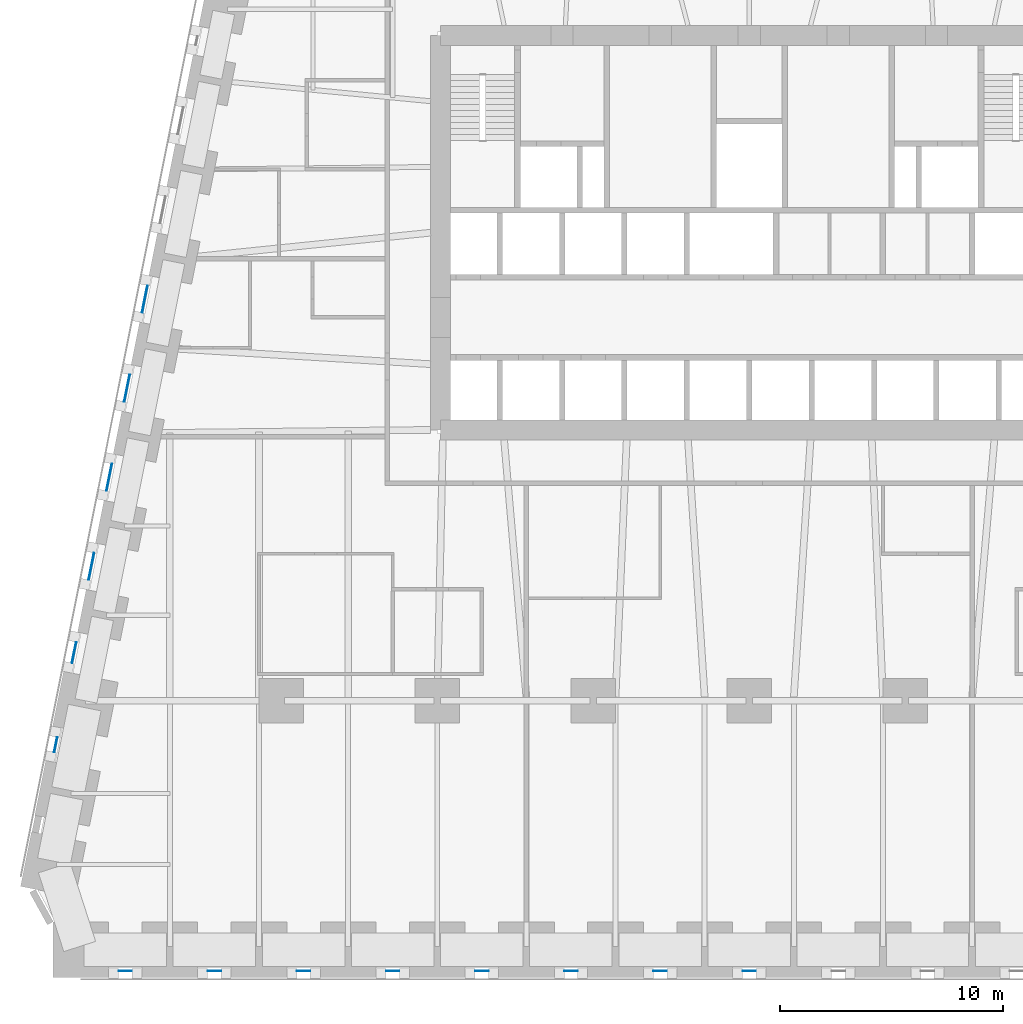
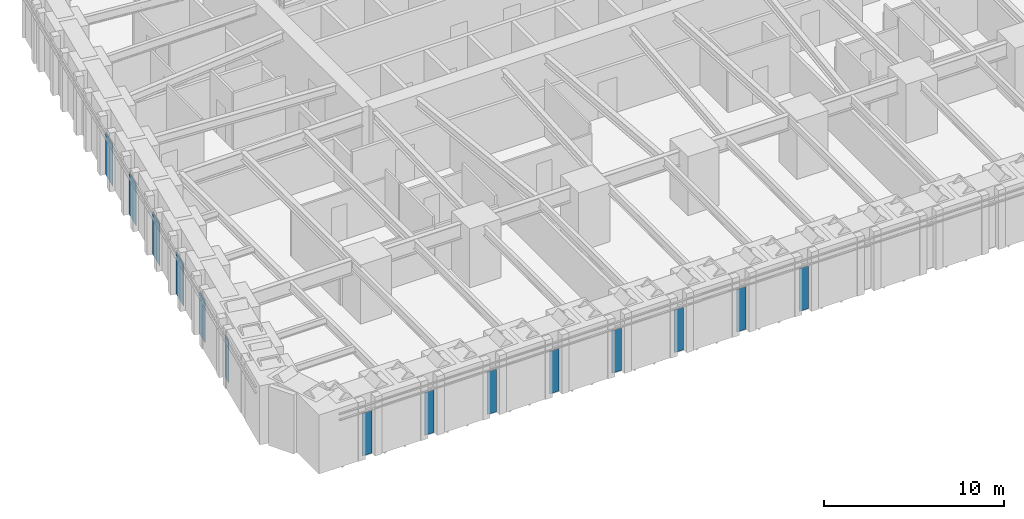
# One storey, part 7 of 16: 14 plates, 14 elements without a shape of their own.
"""IFC4 building model written with IfcOpenShell, lengths in metres."""

from ifc_helpers import new_model, si_unit, direction, frame, origin, origin_2d, place, context, subcontext, project, spatial, rectangle, extrude, material, layer, layer_set, type_object, element, aggregate, save


model = new_model("IFC4")

# Units and contexts
model_context = context("Model", 3, precision=1e-05, world=origin(), true_north=direction((0.0, 1.0)))
body_context = subcontext(model_context, "Body", "Model", "MODEL_VIEW")
ifc_project = project(units=[si_unit("LENGTHUNIT", "METRE"), si_unit("AREAUNIT", "SQUARE_METRE"), si_unit("VOLUMEUNIT", "CUBIC_METRE"), si_unit("PLANEANGLEUNIT", "RADIAN"), si_unit("MASSUNIT", "GRAM", prefix="KILO")], contexts=[model_context])

# Site, building, storey
site_placement = place(None, origin())
site = spatial("IfcSite", under=ifc_project, at=site_placement, CompositionType="ELEMENT")
building_placement = place(site_placement, origin())
building = spatial("IfcBuilding", under=site, at=building_placement, Name="Isbrekke Arena Tower", CompositionType="ELEMENT")
storey_placement = place(building_placement, frame((0.0, 0.0, 36.0)))
storey = spatial("IfcBuildingStorey", under=building, at=storey_placement, Name="L06", CompositionType="ELEMENT", Elevation=36.0)

# Curtain wall, plate
ifc_material_1 = material(Name="Glazed aluminium curtain wall", Category="aluminium")
curtain_wall_type = type_object("IfcCurtainWallType", Name="CWL TOWER CURTAIN WALL LOW ZONE", PredefinedType="USERDEFINED", material=ifc_material_1)
curtain_wall_1_placement = place(storey_placement, origin())
curtain_wall_1 = element("IfcCurtainWall", 1, at=curtain_wall_1_placement, inside=storey, type_object=curtain_wall_type, Name="CWL curtain wall L06-S", ObjectType="TOWER CURTAIN WALL LOW ZONE", PredefinedType="USERDEFINED")
ifc_material_2 = material(Name="Triple-glazed clear glass unit", Category="glass")
ifc_layer = layer(ifc_material_2, 0.031982421875)
ifc_layer_set = layer_set([ifc_layer], Name="CWL-P VISION PANEL")
plate_type = type_object("IfcPlateType", Name="CWL-P VISION PANEL", PredefinedType="CURTAIN_PANEL", material=ifc_layer_set)
plate_1_placement = place(storey_placement, frame((-28.0009765625, -18.125, 0.02001953125), z_axis=(0.0, 0.0, 1.0), x_axis=(1.0, 0.0, 0.0)))
plate_1 = element("IfcPlate", 2, at=plate_1_placement, type_object=plate_type, Name="CWL-P panel 1", PredefinedType="CURTAIN_PANEL", context=body_context, shape_type="SweptSolid", body=[
    extrude(rectangle(XDim=0.60205078125, YDim=0.031982421875, at=origin_2d()), origin(), (0.0, 0.0, 1.0), 2.8798828125),
])
aggregate(curtain_wall_1, [plate_1])

curtain_wall_2_placement = place(storey_placement, origin())
curtain_wall_2 = element("IfcCurtainWall", 3, at=curtain_wall_2_placement, inside=storey, type_object=curtain_wall_type, Name="CWL curtain wall L06-S3", ObjectType="TOWER CURTAIN WALL LOW ZONE", PredefinedType="USERDEFINED")
plate_2_placement = place(storey_placement, frame((-24.0, -18.125, 0.02001953125), z_axis=(0.0, 0.0, 1.0), x_axis=(1.0, 0.0, 0.0)))
plate_2 = element("IfcPlate", 4, at=plate_2_placement, type_object=plate_type, Name="CWL-P panel 1", PredefinedType="CURTAIN_PANEL", context=body_context, shape_type="SweptSolid", body=[
    extrude(rectangle(XDim=0.60009765625, YDim=0.031982421875, at=origin_2d()), origin(), (0.0, 0.0, 1.0), 2.8798828125),
])
aggregate(curtain_wall_2, [plate_2])

curtain_wall_3_placement = place(storey_placement, origin())
curtain_wall_3 = element("IfcCurtainWall", 5, at=curtain_wall_3_placement, inside=storey, type_object=curtain_wall_type, Name="CWL curtain wall L06-S5", ObjectType="TOWER CURTAIN WALL LOW ZONE", PredefinedType="USERDEFINED")
plate_3_placement = place(storey_placement, frame((-20.0, -18.125, 0.02001953125), z_axis=(0.0, 0.0, 1.0), x_axis=(1.0, 0.0, 0.0)))
plate_3 = element("IfcPlate", 6, at=plate_3_placement, type_object=plate_type, Name="CWL-P panel 1", PredefinedType="CURTAIN_PANEL", context=body_context, shape_type="SweptSolid", body=[
    extrude(rectangle(XDim=0.60009765625, YDim=0.031982421875, at=origin_2d()), origin(), (0.0, 0.0, 1.0), 2.8798828125),
])
aggregate(curtain_wall_3, [plate_3])

curtain_wall_4_placement = place(storey_placement, origin())
curtain_wall_4 = element("IfcCurtainWall", 7, at=curtain_wall_4_placement, inside=storey, type_object=curtain_wall_type, Name="CWL curtain wall L06-S7", ObjectType="TOWER CURTAIN WALL LOW ZONE", PredefinedType="USERDEFINED")
plate_4_placement = place(storey_placement, frame((-16.0, -18.125, 0.02001953125), z_axis=(0.0, 0.0, 1.0), x_axis=(1.0, 0.0, 0.0)))
plate_4 = element("IfcPlate", 8, at=plate_4_placement, type_object=plate_type, Name="CWL-P panel 1", PredefinedType="CURTAIN_PANEL", context=body_context, shape_type="SweptSolid", body=[
    extrude(rectangle(XDim=0.60009765625, YDim=0.031982421875, at=origin_2d()), origin(), (0.0, 0.0, 1.0), 2.8798828125),
])
aggregate(curtain_wall_4, [plate_4])

curtain_wall_5_placement = place(storey_placement, origin())
curtain_wall_5 = element("IfcCurtainWall", 9, at=curtain_wall_5_placement, inside=storey, type_object=curtain_wall_type, Name="CWL curtain wall L06-S9", ObjectType="TOWER CURTAIN WALL LOW ZONE", PredefinedType="USERDEFINED")
plate_5_placement = place(storey_placement, frame((-12.0, -18.125, 0.02001953125), z_axis=(0.0, 0.0, 1.0), x_axis=(1.0, 0.0, 0.0)))
plate_5 = element("IfcPlate", 10, at=plate_5_placement, type_object=plate_type, Name="CWL-P panel 1", PredefinedType="CURTAIN_PANEL", context=body_context, shape_type="SweptSolid", body=[
    extrude(rectangle(XDim=0.60009765625, YDim=0.031982421875, at=origin_2d()), origin(), (0.0, 0.0, 1.0), 2.8798828125),
])
aggregate(curtain_wall_5, [plate_5])

curtain_wall_6_placement = place(storey_placement, origin())
curtain_wall_6 = element("IfcCurtainWall", 11, at=curtain_wall_6_placement, inside=storey, type_object=curtain_wall_type, Name="CWL curtain wall L06-S11", ObjectType="TOWER CURTAIN WALL LOW ZONE", PredefinedType="USERDEFINED")
plate_6_placement = place(storey_placement, frame((-8.0, -18.125, 0.02001953125), z_axis=(0.0, 0.0, 1.0), x_axis=(1.0, 0.0, 0.0)))
plate_6 = element("IfcPlate", 12, at=plate_6_placement, type_object=plate_type, Name="CWL-P panel 1", PredefinedType="CURTAIN_PANEL", context=body_context, shape_type="SweptSolid", body=[
    extrude(rectangle(XDim=0.60009765625, YDim=0.031982421875, at=origin_2d()), origin(), (0.0, 0.0, 1.0), 2.8798828125),
])
aggregate(curtain_wall_6, [plate_6])

curtain_wall_7_placement = place(storey_placement, origin())
curtain_wall_7 = element("IfcCurtainWall", 13, at=curtain_wall_7_placement, inside=storey, type_object=curtain_wall_type, Name="CWL curtain wall L06-S13", ObjectType="TOWER CURTAIN WALL LOW ZONE", PredefinedType="USERDEFINED")
plate_7_placement = place(storey_placement, frame((-4.0, -18.125, 0.02001953125), z_axis=(0.0, 0.0, 1.0), x_axis=(1.0, 0.0, 0.0)))
plate_7 = element("IfcPlate", 14, at=plate_7_placement, type_object=plate_type, Name="CWL-P panel 1", PredefinedType="CURTAIN_PANEL", context=body_context, shape_type="SweptSolid", body=[
    extrude(rectangle(XDim=0.60009765625, YDim=0.031982421875, at=origin_2d()), origin(), (0.0, 0.0, 1.0), 2.8798828125),
])
aggregate(curtain_wall_7, [plate_7])

curtain_wall_8_placement = place(storey_placement, origin())
curtain_wall_8 = element("IfcCurtainWall", 15, at=curtain_wall_8_placement, inside=storey, type_object=curtain_wall_type, Name="CWL curtain wall L06-S15", ObjectType="TOWER CURTAIN WALL LOW ZONE", PredefinedType="USERDEFINED")
plate_8_placement = place(storey_placement, frame((0.0, -18.125, 0.02001953125), z_axis=(0.0, 0.0, 1.0), x_axis=(1.0, 0.0, 0.0)))
plate_8 = element("IfcPlate", 16, at=plate_8_placement, type_object=plate_type, Name="CWL-P panel 1", PredefinedType="CURTAIN_PANEL", context=body_context, shape_type="SweptSolid", body=[
    extrude(rectangle(XDim=0.60009765625, YDim=0.031982421875, at=origin_2d()), origin(), (0.0, 0.0, 1.0), 2.8798828125),
])
aggregate(curtain_wall_8, [plate_8])

curtain_wall_9_placement = place(storey_placement, origin())
curtain_wall_9 = element("IfcCurtainWall", 17, at=curtain_wall_9_placement, inside=storey, type_object=curtain_wall_type, Name="CWL curtain wall L06-W7", ObjectType="TOWER CURTAIN WALL LOW ZONE", PredefinedType="USERDEFINED")
plate_9_placement = place(storey_placement, frame((-27.12255859375, 12.0244140625, 0.02001953125), z_axis=(0.0, 0.0, 1.0), x_axis=(-0.196116135138, -0.980580675691, 0.0)))
plate_9 = element("IfcPlate", 18, at=plate_9_placement, type_object=plate_type, Name="CWL-P panel 1", PredefinedType="CURTAIN_PANEL", context=body_context, shape_type="SweptSolid", body=[
    extrude(rectangle(XDim=1.229248046875, YDim=0.031982421875, at=origin_2d()), origin(), (0.0, 0.0, 1.0), 2.8798828125),
])
aggregate(curtain_wall_9, [plate_9])

curtain_wall_10_placement = place(storey_placement, origin())
curtain_wall_10 = element("IfcCurtainWall", 19, at=curtain_wall_10_placement, inside=storey, type_object=curtain_wall_type, Name="CWL curtain wall L06-W9", ObjectType="TOWER CURTAIN WALL LOW ZONE", PredefinedType="USERDEFINED")
plate_10_placement = place(storey_placement, frame((-27.922607421875, 8.0244140625, 0.02001953125), z_axis=(0.0, 0.0, 1.0), x_axis=(-0.196116135138, -0.980580675691, 0.0)))
plate_10 = element("IfcPlate", 20, at=plate_10_placement, type_object=plate_type, Name="CWL-P panel 1", PredefinedType="CURTAIN_PANEL", context=body_context, shape_type="SweptSolid", body=[
    extrude(rectangle(XDim=1.229248046875, YDim=0.031982421875, at=origin_2d()), origin(), (0.0, 0.0, 1.0), 2.8798828125),
])
aggregate(curtain_wall_10, [plate_10])

curtain_wall_11_placement = place(storey_placement, origin())
curtain_wall_11 = element("IfcCurtainWall", 21, at=curtain_wall_11_placement, inside=storey, type_object=curtain_wall_type, Name="CWL curtain wall L06-W11", ObjectType="TOWER CURTAIN WALL LOW ZONE", PredefinedType="USERDEFINED")
plate_11_placement = place(storey_placement, frame((-28.72265625, 4.0244140625, 0.02001953125), z_axis=(0.0, 0.0, 1.0), x_axis=(-0.196116135138, -0.980580675691, 0.0)))
plate_11 = element("IfcPlate", 22, at=plate_11_placement, type_object=plate_type, Name="CWL-P panel 1", PredefinedType="CURTAIN_PANEL", context=body_context, shape_type="SweptSolid", body=[
    extrude(rectangle(XDim=1.229248046875, YDim=0.031982421875, at=origin_2d()), origin(), (0.0, 0.0, 1.0), 2.8798828125),
])
aggregate(curtain_wall_11, [plate_11])

curtain_wall_12_placement = place(storey_placement, origin())
curtain_wall_12 = element("IfcCurtainWall", 23, at=curtain_wall_12_placement, inside=storey, type_object=curtain_wall_type, Name="CWL curtain wall L06-W13", ObjectType="TOWER CURTAIN WALL LOW ZONE", PredefinedType="USERDEFINED")
plate_12_placement = place(storey_placement, frame((-29.5224609375, 0.0244140625, 0.02001953125), z_axis=(0.0, 0.0, 1.0), x_axis=(-0.196116135138, -0.980580675691, 0.0)))
plate_12 = element("IfcPlate", 24, at=plate_12_placement, type_object=plate_type, Name="CWL-P panel 1", PredefinedType="CURTAIN_PANEL", context=body_context, shape_type="SweptSolid", body=[
    extrude(rectangle(XDim=1.229248046875, YDim=0.031982421875, at=origin_2d()), origin(), (0.0, 0.0, 1.0), 2.8798828125),
])
aggregate(curtain_wall_12, [plate_12])

curtain_wall_13_placement = place(storey_placement, origin())
curtain_wall_13 = element("IfcCurtainWall", 25, at=curtain_wall_13_placement, inside=storey, type_object=curtain_wall_type, Name="CWL curtain wall L06-W15", ObjectType="TOWER CURTAIN WALL LOW ZONE", PredefinedType="USERDEFINED")
plate_13_placement = place(storey_placement, frame((-30.295654296875, -3.840576171875, 0.02001953125), z_axis=(0.0, 0.0, 1.0), x_axis=(-0.196116135138, -0.980580675691, 0.0)))
plate_13 = element("IfcPlate", 26, at=plate_13_placement, type_object=plate_type, Name="CWL-P panel 1", PredefinedType="CURTAIN_PANEL", context=body_context, shape_type="SweptSolid", body=[
    extrude(rectangle(XDim=0.9541015625, YDim=0.031982421875, at=origin_2d()), origin(), (0.0, 0.0, 1.0), 2.8798828125),
])
aggregate(curtain_wall_13, [plate_13])

curtain_wall_14_placement = place(storey_placement, origin())
curtain_wall_14 = element("IfcCurtainWall", 27, at=curtain_wall_14_placement, inside=storey, type_object=curtain_wall_type, Name="CWL curtain wall L06-W17", ObjectType="TOWER CURTAIN WALL LOW ZONE", PredefinedType="USERDEFINED")
plate_14_placement = place(storey_placement, frame((-31.12255859375, -7.9755859375, 0.02001953125), z_axis=(0.0, 0.0, 1.0), x_axis=(-0.196116135138, -0.980580675691, 0.0)))
plate_14 = element("IfcPlate", 28, at=plate_14_placement, type_object=plate_type, Name="CWL-P panel 1", PredefinedType="CURTAIN_PANEL", context=body_context, shape_type="SweptSolid", body=[
    extrude(rectangle(XDim=0.67919921875, YDim=0.031982421875, at=origin_2d()), origin(), (0.0, 0.0, 1.0), 2.8798828125),
])
aggregate(curtain_wall_14, [plate_14])

save(model, "model.ifc")
